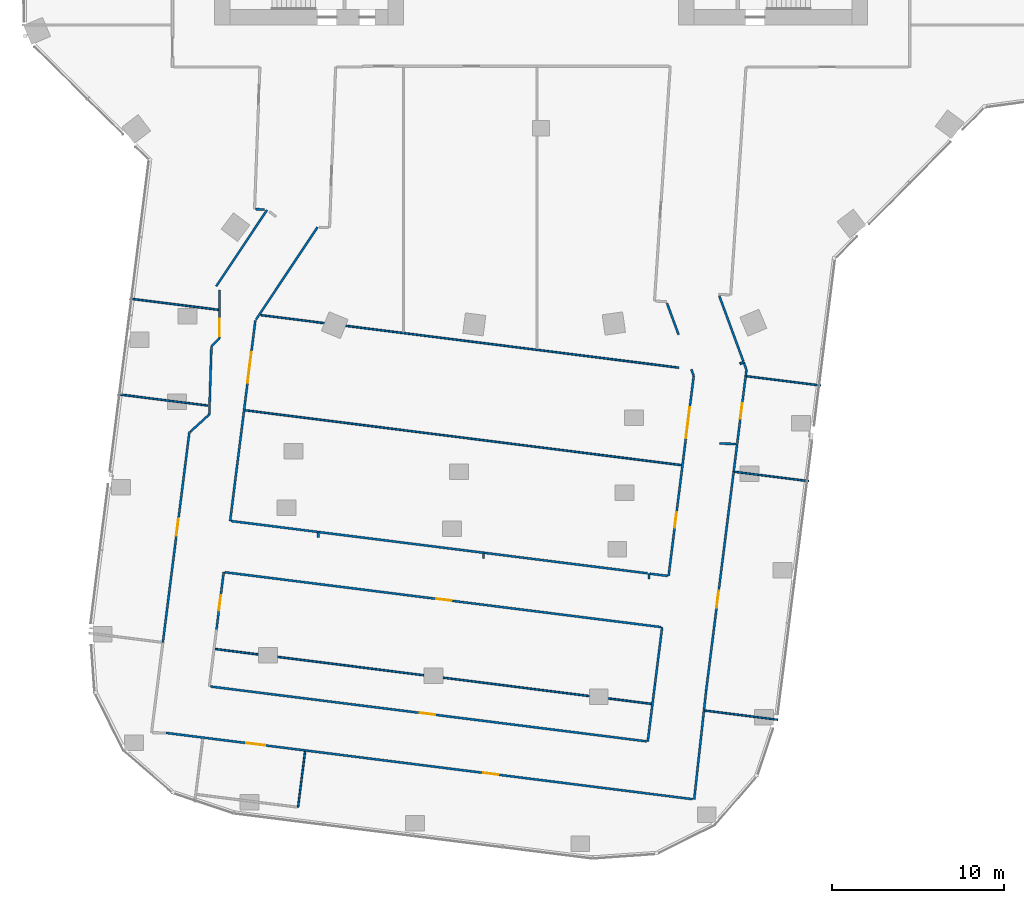
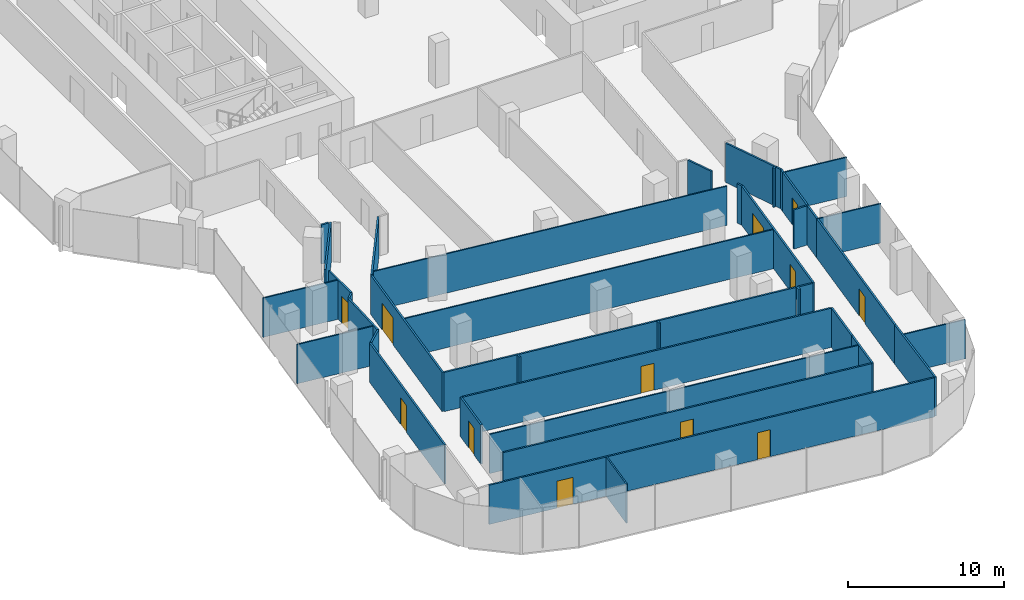
# One storey, part 19 of 27: 41 walls, 12 doors, 12 openings.
"""IFC4 building model written with IfcOpenShell, lengths in metres."""

from ifc_helpers import new_model, si_unit, direction, frame, frame_2d, origin, place, context, subcontext, project, spatial, rectangle, extrude, material, layer, layer_set, type_object, element, fill, save


model = new_model("IFC4")

# Units and contexts
model_context = context("Model", 3, precision=1e-05, world=origin(), true_north=direction((0.0, 1.0)))
body_context = subcontext(model_context, "Body", "Model", "MODEL_VIEW")
ifc_project = project(units=[si_unit("LENGTHUNIT", "METRE"), si_unit("AREAUNIT", "SQUARE_METRE"), si_unit("VOLUMEUNIT", "CUBIC_METRE"), si_unit("PLANEANGLEUNIT", "RADIAN"), si_unit("MASSUNIT", "GRAM", prefix="KILO")], contexts=[model_context])

# Site, building, storey
site_placement = place(None, origin())
site = spatial("IfcSite", under=ifc_project, at=site_placement, CompositionType="ELEMENT")
building_placement = place(site_placement, origin())
building = spatial("IfcBuilding", under=site, at=building_placement, Name="Orlundy Tower", CompositionType="ELEMENT")
storey_placement = place(building_placement, frame((0.0, 0.0, 192.10009765625)))
storey = spatial("IfcBuildingStorey", under=building, at=storey_placement, Name="L50", CompositionType="ELEMENT", Elevation=192.10009765625)

# Walls
ifc_material_1 = material(Name="Gypsum board partition")
ifc_layer_1 = layer(ifc_material_1, 0.10009765625)
ifc_layer_set_1 = layer_set([ifc_layer_1], Name="Floor partition 100")
wall_type_1 = type_object("IfcWallType", Name="Floor partition 100", PredefinedType="PARTITIONING", material=ifc_layer_set_1)
wall_1_placement = place(storey_placement, frame((-18.968017578125, -48.31103515625, 0.0), z_axis=(0.0, 0.0, 1.0), x_axis=(0.992187328306, -0.124756985971, 0.0)))
element("IfcWall", 1, at=wall_1_placement, inside=storey, type_object=wall_type_1, Name="wall-int-L50-010", PredefinedType="PARTITIONING", context=body_context, shape_type="SweptSolid", body=[
    extrude(rectangle(XDim=25.5849609375, YDim=0.10009765625, at=frame_2d((12.79248046875, 0.0))), origin(), (0.0, 0.0, 1.0), 3.059814453125),
])
wall_2_placement = place(storey_placement, frame((9.51904296875, -51.89306640625, 0.0), z_axis=(0.0, 0.0, 1.0), x_axis=(0.992174773364, -0.124856794369, 0.0)))
element("IfcWall", 2, at=wall_2_placement, inside=storey, type_object=wall_type_1, Name="wall-int-L50-011", PredefinedType="PARTITIONING", context=body_context, shape_type="SweptSolid", body=[
    extrude(rectangle(XDim=4.2763671875, YDim=0.10009765625, at=frame_2d((2.13818359375, 0.0))), origin(), (0.0, 0.0, 1.0), 3.059814453125),
])
wall_3_placement = place(storey_placement, frame((-24.62109375, -33.489990234375, 0.0), z_axis=(0.0, 0.0, 1.0), x_axis=(0.992192670487, -0.124714492473, 0.0)))
element("IfcWall", 3, at=wall_3_placement, inside=storey, type_object=wall_type_1, Name="wall-int-L50-015", PredefinedType="PARTITIONING", context=body_context, shape_type="SweptSolid", body=[
    extrude(rectangle(XDim=5.260009765625, YDim=0.10009765625, at=frame_2d((2.6298828125, 0.0))), origin(), (0.0, 0.0, 1.0), 3.059814453125),
])
wall_4_placement = place(storey_placement, frame((-17.220947265625, -34.4208984375, 0.0), z_axis=(0.0, 0.0, 1.0), x_axis=(0.992190871449, -0.124728804262, 0.0)))
element("IfcWall", 4, at=wall_4_placement, inside=storey, type_object=wall_type_1, Name="wall-int-L50-016", PredefinedType="PARTITIONING", context=body_context, shape_type="SweptSolid", body=[
    extrude(rectangle(XDim=25.584716796875, YDim=0.10009765625, at=frame_2d((12.79248046875, 0.0))), origin(), (0.0, 0.0, 1.0), 3.059814453125),
])
wall_5_placement = place(storey_placement, frame((11.26611328125, -38.0029296875, 0.0), z_axis=(0.0, 0.0, 1.0), x_axis=(0.992194392082, -0.124700795187, 0.0)))
element("IfcWall", 5, at=wall_5_placement, inside=storey, type_object=wall_type_1, Name="wall-int-L50-017", PredefinedType="PARTITIONING", context=body_context, shape_type="SweptSolid", body=[
    extrude(rectangle(XDim=4.33056640625, YDim=0.10009765625, at=frame_2d((2.165283203125, 0.0))), origin(), (0.0, 0.0, 1.0), 3.059814453125),
])
wall_6_placement = place(storey_placement, frame((-23.9208984375, -27.927001953125, 0.0), z_axis=(0.0, 0.0, 1.0), x_axis=(0.992179743224, -0.124817295018, 0.0)))
element("IfcWall", 6, at=wall_6_placement, inside=storey, type_object=wall_type_1, Name="wall-int-L50-018", PredefinedType="PARTITIONING", context=body_context, shape_type="SweptSolid", body=[
    extrude(rectangle(XDim=5.183349609375, YDim=0.10009765625, at=frame_2d((2.591796875, 0.0))), origin(), (0.0, 0.0, 1.0), 3.059814453125),
])
wall_7_placement = place(storey_placement, frame((-16.31494140625, -28.884033203125, 0.0), z_axis=(0.0, 0.0, 1.0), x_axis=(0.992194172305, -0.124702543857, 0.0)))
element("IfcWall", 7, at=wall_7_placement, inside=storey, type_object=wall_type_1, Name="wall-int-L50-019", PredefinedType="PARTITIONING", context=body_context, shape_type="SweptSolid", body=[
    extrude(rectangle(XDim=24.521240234375, YDim=0.10009765625, at=frame_2d((12.2607421875, 0.0))), origin(), (0.0, 0.0, 1.0), 3.059814453125),
])
wall_8_placement = place(storey_placement, frame((11.965087890625, -32.43994140625, 0.0), z_axis=(0.0, 0.0, 1.0), x_axis=(0.992194392082, -0.124700795187, 0.0)))
element("IfcWall", 8, at=wall_8_placement, inside=storey, type_object=wall_type_1, Name="wall-int-L50-020", PredefinedType="PARTITIONING", context=body_context, shape_type="SweptSolid", body=[
    extrude(rectangle(XDim=4.33056640625, YDim=0.10009765625, at=frame_2d((2.165283203125, 0.0))), origin(), (0.0, 0.0, 1.0), 3.059814453125),
])
wall_9_placement = place(storey_placement, frame((-14.14111328125, -57.51708984375, 0.0), z_axis=(0.0, 0.0, 1.0), x_axis=(0.124586287257, 0.992208776935, 0.0)))
element("IfcWall", 9, at=wall_9_placement, inside=storey, type_object=wall_type_1, Name="wall-int-L50-054", PredefinedType="PARTITIONING", context=body_context, shape_type="SweptSolid", body=[
    extrude(rectangle(XDim=3.2685546875, YDim=0.10009765625, at=frame_2d((1.63427734375, 0.0))), origin(), (0.0, 0.0, 1.0), 3.059814453125),
])
ifc_material_2 = material(Name="Gypsum board partition, double layer")
ifc_layer_2 = layer(ifc_material_2, 0.125)
ifc_layer_set_2 = layer_set([ifc_layer_2], Name="Floor partition 125")
wall_type_2 = type_object("IfcWallType", Name="Floor partition 125", PredefinedType="PARTITIONING", material=ifc_layer_set_2)
wall_10_placement = place(storey_placement, frame((7.327880859375, -28.197021484375, 0.0), z_axis=(0.0, 0.0, 1.0), x_axis=(0.34495039198, -0.938620917662, 0.0)))
element("IfcWall", 10, at=wall_10_placement, inside=storey, type_object=wall_type_2, Name="wall-int-L50-001", PredefinedType="PARTITIONING", context=body_context, shape_type="SweptSolid", body=[
    extrude(rectangle(XDim=1.948486328125, YDim=0.125, at=frame_2d((0.97412109375, 0.0))), origin(), (0.0, 0.0, 1.0), 3.059814453125),
])
wall_11_placement = place(storey_placement, frame((8.738037109375, -32.033935546875, 0.0), z_axis=(0.0, 0.0, 1.0), x_axis=(0.344934891115, -0.938626614204, 0.0)))
element("IfcWall", 11, at=wall_11_placement, inside=storey, type_object=wall_type_2, Name="wall-int-L50-002", PredefinedType="PARTITIONING", context=body_context, shape_type="SweptSolid", body=[
    extrude(rectangle(XDim=0.4111328125, YDim=0.125, at=frame_2d((0.20556640625, 0.0))), origin(), (0.0, 0.0, 1.0), 3.059814453125),
])
wall_12_placement = place(storey_placement, frame((11.785888671875, -31.6279296875, 0.0), z_axis=(0.0, 0.0, 1.0), x_axis=(0.346065449672, -0.938210373287, 0.0)))
element("IfcWall", 12, at=wall_12_placement, inside=storey, type_object=wall_type_2, Name="wall-int-L50-003", PredefinedType="PARTITIONING", context=body_context, shape_type="SweptSolid", body=[
    extrude(rectangle(XDim=0.47119140625, YDim=0.125, at=frame_2d((0.235595703125, 0.0))), origin(), (0.0, 0.0, 1.0), 3.059814453125),
])
wall_13_placement = place(storey_placement, frame((10.364990234375, -27.760986328125, 0.0), z_axis=(0.0, 0.0, 1.0), x_axis=(0.34515538391, -0.938545556144, 0.0)))
element("IfcWall", 13, at=wall_13_placement, inside=storey, type_object=wall_type_2, Name="wall-int-L50-004", PredefinedType="PARTITIONING", context=body_context, shape_type="SweptSolid", body=[
    extrude(rectangle(XDim=4.052978515625, YDim=0.125, at=frame_2d((2.0263671875, 0.0))), origin(), (0.0, 0.0, 1.0), 3.059814453125),
])

# Wall, openings, doors
wall_14_placement = place(storey_placement, frame((8.822998046875, -57.049072265625, 0.0), z_axis=(0.0, 0.0, 1.0), x_axis=(-0.992177755652, 0.124833093322, 0.0)))
wall_14 = element("IfcWall", 14, at=wall_14_placement, inside=storey, type_object=wall_type_2, Name="wall-int-L50-007", PredefinedType="PARTITIONING", context=body_context, shape_type="SweptSolid", body=[
    extrude(rectangle(XDim=30.898681640625, YDim=0.125, at=frame_2d((15.44921875, 0.0))), origin(), (0.0, 0.0, 1.0), 3.059814453125),
])
opening_1_placement = place(wall_14_placement, frame((11.392333984375, 0.0, 0.0)))
opening_1 = element("IfcOpeningElement", 15, at=opening_1_placement, cuts=wall_14, Name="Opening 39108", PredefinedType="OPENING", context=body_context, shape_type="SweptSolid", body=[
    extrude(rectangle(XDim=0.89990234375, YDim=2.10009765625, at=frame_2d((0.449951171875, 1.050048828125))), frame((0.0, 0.072509765625, 0.0), z_axis=(0.0, -1.0, 0.0), x_axis=(1.0, 0.0, 0.0)), (0.0, 0.0, 1.0), 0.14501953125),
])
opening_2_placement = place(wall_14_placement, frame((25.076904296875, 0.0, 0.0)))
opening_2 = element("IfcOpeningElement", 16, at=opening_2_placement, cuts=wall_14, Name="Opening 39128", PredefinedType="OPENING", context=body_context, shape_type="SweptSolid", body=[
    extrude(rectangle(XDim=1.10009765625, YDim=2.10009765625, at=frame_2d((0.550048828125, 1.050048828125))), frame((0.0, 0.072509765625, 0.0), z_axis=(0.0, -1.0, 0.0), x_axis=(1.0, 0.0, 0.0)), (0.0, 0.0, 1.0), 0.14501953125),
])
ifc_material_3 = material(Name="Timber door leaf", Category="wood")
door_type_1 = type_object("IfcDoorType", Name="Floor door single 900 FD30S", OperationType="NOTDEFINED", PredefinedType="DOOR", material=ifc_material_3)
door_1_placement = place(opening_1_placement, origin())
door_1 = element("IfcDoor", 17, at=door_1_placement, inside=storey, type_object=door_type_1, Name="Door 39108", OperationType="SINGLE_SWING_LEFT", OverallHeight=2.10009765625, OverallWidth=0.89990234375, PredefinedType="DOOR", context=body_context, shape_type="SweptSolid", body=[
    extrude(rectangle(XDim=0.89990234375, YDim=2.10009765625, at=frame_2d((0.449951171875, 1.050048828125))), frame((0.0, 0.02490234375, 0.0), z_axis=(0.0, -1.0, 0.0), x_axis=(1.0, 0.0, 0.0)), (0.0, 0.0, 1.0), 0.050048828125),
])
fill(opening_1, door_1)
ifc_material_4 = material(Name="Timber door leaf", Category="wood")
door_type_2 = type_object("IfcDoorType", Name="Floor door xwide 1100 FD30S", OperationType="NOTDEFINED", PredefinedType="DOOR", material=ifc_material_4)
door_2_placement = place(opening_2_placement, origin())
door_2 = element("IfcDoor", 18, at=door_2_placement, inside=storey, type_object=door_type_2, Name="Door 39128", OperationType="SINGLE_SWING_RIGHT", OverallHeight=2.10009765625, OverallWidth=1.10009765625, PredefinedType="DOOR", context=body_context, shape_type="SweptSolid", body=[
    extrude(rectangle(XDim=1.10009765625, YDim=2.10009765625, at=frame_2d((0.550048828125, 1.050048828125))), frame((0.0, 0.02490234375, 0.0), z_axis=(0.0, -1.0, 0.0), x_axis=(1.0, 0.0, 0.0)), (0.0, 0.0, 1.0), 0.050048828125),
])
fill(opening_2, door_2)

# Wall, opening, door
wall_15_placement = place(storey_placement, frame((-19.241943359375, -50.493896484375, 0.0), z_axis=(0.0, 0.0, 1.0), x_axis=(0.992190871449, -0.124728804262, 0.0)))
wall_15 = element("IfcWall", 19, at=wall_15_placement, inside=storey, type_object=wall_type_2, Name="wall-int-L50-008", PredefinedType="PARTITIONING", context=body_context, shape_type="SweptSolid", body=[
    extrude(rectangle(XDim=25.584716796875, YDim=0.125, at=frame_2d((12.79248046875, 0.0))), origin(), (0.0, 0.0, 1.0), 3.059814453125),
])
opening_3_placement = place(wall_15_placement, frame((12.28759765625, 0.0, 0.0)))
opening_3 = element("IfcOpeningElement", 20, at=opening_3_placement, cuts=wall_15, Name="Opening 39107", PredefinedType="OPENING", context=body_context, shape_type="SweptSolid", body=[
    extrude(rectangle(XDim=0.89990234375, YDim=2.10009765625, at=frame_2d((0.449951171875, 1.050048828125))), frame((0.0, 0.072509765625, 0.0), z_axis=(0.0, -1.0, 0.0), x_axis=(1.0, 0.0, 0.0)), (0.0, 0.0, 1.0), 0.14501953125),
])
door_3_placement = place(opening_3_placement, origin())
door_3 = element("IfcDoor", 21, at=door_3_placement, inside=storey, type_object=door_type_1, Name="Door 39107", OperationType="SINGLE_SWING_LEFT", OverallHeight=2.10009765625, OverallWidth=0.89990234375, PredefinedType="DOOR", context=body_context, shape_type="SweptSolid", body=[
    extrude(rectangle(XDim=0.89990234375, YDim=2.10009765625, at=frame_2d((0.449951171875, 1.050048828125))), frame((0.0, 0.02490234375, 0.0), z_axis=(0.0, -1.0, 0.0), x_axis=(1.0, 0.0, 0.0)), (0.0, 0.0, 1.0), 0.050048828125),
])
fill(opening_3, door_3)

wall_16_placement = place(storey_placement, frame((6.97900390625, -47.034912109375, 0.0), z_axis=(0.0, 0.0, 1.0), x_axis=(-0.992192052325, 0.124719410292, 0.0)))
wall_16 = element("IfcWall", 22, at=wall_16_placement, inside=storey, type_object=wall_type_2, Name="wall-int-L50-012", PredefinedType="PARTITIONING", context=body_context, shape_type="SweptSolid", body=[
    extrude(rectangle(XDim=25.584716796875, YDim=0.125, at=frame_2d((12.79248046875, 0.0))), origin(), (0.0, 0.0, 1.0), 3.059814453125),
])
opening_4_placement = place(wall_16_placement, frame((12.28759765625, 0.0, 0.0)))
opening_4 = element("IfcOpeningElement", 23, at=opening_4_placement, cuts=wall_16, Name="Opening 39106", PredefinedType="OPENING", context=body_context, shape_type="SweptSolid", body=[
    extrude(rectangle(XDim=0.89990234375, YDim=2.10009765625, at=frame_2d((0.449951171875, 1.050048828125))), frame((0.0, 0.072509765625, 0.0), z_axis=(0.0, -1.0, 0.0), x_axis=(1.0, 0.0, 0.0)), (0.0, 0.0, 1.0), 0.14501953125),
])
door_4_placement = place(opening_4_placement, origin())
door_4 = element("IfcDoor", 24, at=door_4_placement, inside=storey, type_object=door_type_1, Name="Door 39106", OperationType="SINGLE_SWING_LEFT", OverallHeight=2.10009765625, OverallWidth=0.89990234375, PredefinedType="DOOR", context=body_context, shape_type="SweptSolid", body=[
    extrude(rectangle(XDim=0.89990234375, YDim=2.10009765625, at=frame_2d((0.449951171875, 1.050048828125))), frame((0.0, 0.02490234375, 0.0), z_axis=(0.0, -1.0, 0.0), x_axis=(1.0, 0.0, 0.0)), (0.0, 0.0, 1.0), 0.050048828125),
])
fill(opening_4, door_4)

# Walls
wall_17_placement = place(storey_placement, frame((-18.031982421875, -40.865966796875, 0.0), z_axis=(0.0, 0.0, 1.0), x_axis=(0.9922120451, -0.124560256738, 0.0)))
element("IfcWall", 25, at=wall_17_placement, inside=storey, type_object=wall_type_2, Name="wall-int-L50-013", PredefinedType="PARTITIONING", context=body_context, shape_type="SweptSolid", body=[
    extrude(rectangle(XDim=24.4140625, YDim=0.125, at=frame_2d((12.20703125, 0.0))), origin(), (0.0, 0.0, 1.0), 3.059814453125),
])
wall_18_placement = place(storey_placement, frame((6.342041015625, -43.930908203125, 0.0), z_axis=(0.0, 0.0, 1.0), x_axis=(0.992192944833, -0.124712309833, 0.0)))
element("IfcWall", 26, at=wall_18_placement, inside=storey, type_object=wall_type_2, Name="wall-int-L50-014", PredefinedType="PARTITIONING", context=body_context, shape_type="SweptSolid", body=[
    extrude(rectangle(XDim=1.02001953125, YDim=0.125, at=frame_2d((0.510009765625, 0.0))), origin(), (0.0, 0.0, 1.0), 3.059814453125),
])
wall_19_placement = place(storey_placement, frame((-16.610107421875, -22.718994140625, 0.0), z_axis=(0.0, 0.0, 1.0), x_axis=(0.999204657851, -0.039875452703, 0.0)))
element("IfcWall", 27, at=wall_19_placement, inside=storey, type_object=wall_type_2, Name="wall-int-L50-023", PredefinedType="PARTITIONING", context=body_context, shape_type="SweptSolid", body=[
    extrude(rectangle(XDim=0.526611328125, YDim=0.125, at=frame_2d((0.26318359375, 0.0))), origin(), (0.0, 0.0, 1.0), 3.059814453125),
])
wall_20_placement = place(storey_placement, frame((10.365966796875, -36.35595703125, 0.0), z_axis=(0.0, 0.0, 1.0), x_axis=(0.999700907591, -0.024455988254, 0.0)))
element("IfcWall", 28, at=wall_20_placement, inside=storey, type_object=wall_type_2, Name="wall-int-L50-025", PredefinedType="PARTITIONING", context=body_context, shape_type="SweptSolid", body=[
    extrude(rectangle(XDim=0.978271484375, YDim=0.125, at=frame_2d((0.4892578125, 0.0))), origin(), (0.0, 0.0, 1.0), 3.059814453125),
])
wall_21_placement = place(storey_placement, frame((-20.402099609375, -35.6640625, 0.0), z_axis=(0.0, 0.0, 1.0), x_axis=(0.738431976745, 0.674327973408, 0.0)))
element("IfcWall", 29, at=wall_21_placement, inside=storey, type_object=wall_type_2, Name="wall-int-L50-027", PredefinedType="PARTITIONING", context=body_context, shape_type="SweptSolid", body=[
    extrude(rectangle(XDim=1.4814453125, YDim=0.125, at=frame_2d((0.74072265625, 0.0))), origin(), (0.0, 0.0, 1.0), 3.059814453125),
])
wall_22_placement = place(storey_placement, frame((-19.181884765625, -30.702880859375, 0.0), z_axis=(0.0, 0.0, 1.0), x_axis=(0.707106781187, 0.707106781187, 0.0)))
element("IfcWall", 30, at=wall_22_placement, inside=storey, type_object=wall_type_2, Name="wall-int-L50-028", PredefinedType="PARTITIONING", context=body_context, shape_type="SweptSolid", body=[
    extrude(rectangle(XDim=0.65869140625, YDim=0.125, at=frame_2d((0.329345703125, 0.0))), origin(), (0.0, 0.0, 1.0), 3.059814453125),
])
wall_23_placement = place(storey_placement, frame((11.56298828125, -31.720947265625, 0.0), z_axis=(0.0, 0.0, 1.0), x_axis=(0.921426271694, 0.3885532471, 0.0)))
element("IfcWall", 31, at=wall_23_placement, inside=storey, type_object=wall_type_2, Name="wall-int-L50-043", PredefinedType="PARTITIONING", context=body_context, shape_type="SweptSolid", body=[
    extrude(rectangle(XDim=0.241943359375, YDim=0.125, at=frame_2d((0.12109375, 0.0))), origin(), (0.0, 0.0, 1.0), 3.059814453125),
])
wall_24_placement = place(storey_placement, frame((-13.009033203125, -23.76904296875, 0.0), z_axis=(0.0, 0.0, 1.0), x_axis=(-0.554421269435, -0.832236178016, 0.0)))
element("IfcWall", 32, at=wall_24_placement, inside=storey, type_object=wall_type_2, Name="wall-int-L50-044", PredefinedType="PARTITIONING", context=body_context, shape_type="SweptSolid", body=[
    extrude(rectangle(XDim=6.46435546875, YDim=0.125, at=frame_2d((3.232177734375, 0.0))), origin(), (0.0, 0.0, 1.0), 3.059814453125),
])
wall_25_placement = place(storey_placement, frame((-15.947998046875, -22.76806640625, 0.0), z_axis=(0.0, 0.0, 1.0), x_axis=(-0.554404200785, -0.832247548601, 0.0)))
element("IfcWall", 33, at=wall_25_placement, inside=storey, type_object=wall_type_2, Name="wall-int-L50-045", PredefinedType="PARTITIONING", context=body_context, shape_type="SweptSolid", body=[
    extrude(rectangle(XDim=5.330078125, YDim=0.125, at=frame_2d((2.6650390625, 0.0))), origin(), (0.0, 0.0, 1.0), 3.059814453125),
])
wall_26_placement = place(storey_placement, frame((-19.18310546875, -30.7080078125, 0.0), z_axis=(0.0, 0.0, 1.0), x_axis=(-0.0315735891, -0.99950142995, 0.0)))
element("IfcWall", 34, at=wall_26_placement, inside=storey, type_object=wall_type_2, Name="wall-int-L50-046", PredefinedType="PARTITIONING", context=body_context, shape_type="SweptSolid", body=[
    extrude(rectangle(XDim=3.958984375, YDim=0.125, at=frame_2d((1.9794921875, 0.0))), origin(), (0.0, 0.0, 1.0), 3.059814453125),
])
wall_27_placement = place(storey_placement, frame((11.903076171875, -32.431884765625, 0.0), z_axis=(0.0, 0.0, 1.0), x_axis=(0.125847054802, 0.992049655409, 0.0)))
element("IfcWall", 35, at=wall_27_placement, inside=storey, type_object=wall_type_2, Name="wall-int-L50-047", PredefinedType="PARTITIONING", context=body_context, shape_type="SweptSolid", body=[
    extrude(rectangle(XDim=0.36474609375, YDim=0.125, at=frame_2d((0.182373046875, 0.0))), origin(), (0.0, 0.0, 1.0), 3.059814453125),
])
wall_28_placement = place(storey_placement, frame((9.60107421875, -50.742919921875, 0.0), z_axis=(0.0, 0.0, 1.0), x_axis=(-0.109423264463, -0.993995246062, 0.0)))
element("IfcWall", 36, at=wall_28_placement, inside=storey, type_object=wall_type_2, Name="wall-int-L50-048", PredefinedType="PARTITIONING", context=body_context, shape_type="SweptSolid", body=[
    extrude(rectangle(XDim=6.35205078125, YDim=0.125, at=frame_2d((3.176025390625, 0.0))), origin(), (0.0, 0.0, 1.0), 3.059814453125),
])

# Wall, opening, door
wall_29_placement = place(storey_placement, frame((11.2041015625, -37.993896484375, 0.0), z_axis=(0.0, 0.0, 1.0), x_axis=(-0.124754953573, -0.992187583856, 0.0)))
wall_29 = element("IfcWall", 37, at=wall_29_placement, inside=storey, type_object=wall_type_2, Name="wall-int-L50-049", PredefinedType="PARTITIONING", context=body_context, shape_type="SweptSolid", body=[
    extrude(rectangle(XDim=12.849365234375, YDim=0.125, at=frame_2d((6.4248046875, 0.0))), origin(), (0.0, 0.0, 1.0), 3.059814453125),
])
opening_5_placement = place(wall_29_placement, frame((6.975830078125, 0.0, 0.0)))
opening_5 = element("IfcOpeningElement", 38, at=opening_5_placement, cuts=wall_29, Name="Opening 39101", PredefinedType="OPENING", context=body_context, shape_type="SweptSolid", body=[
    extrude(rectangle(XDim=1.0, YDim=2.10009765625, at=frame_2d((0.5, 1.050048828125))), frame((0.0, 0.072509765625, 0.0), z_axis=(0.0, -1.0, 0.0), x_axis=(1.0, 0.0, 0.0)), (0.0, 0.0, 1.0), 0.14501953125),
])
ifc_material_5 = material(Name="Timber door leaf", Category="wood")
door_type_3 = type_object("IfcDoorType", Name="Floor door wide 1000 FD30S", OperationType="NOTDEFINED", PredefinedType="DOOR", material=ifc_material_5)
door_5_placement = place(opening_5_placement, origin())
door_5 = element("IfcDoor", 39, at=door_5_placement, inside=storey, type_object=door_type_3, Name="Door 39101", OperationType="SINGLE_SWING_RIGHT", OverallHeight=2.10009765625, OverallWidth=1.0, PredefinedType="DOOR", context=body_context, shape_type="SweptSolid", body=[
    extrude(rectangle(XDim=1.0, YDim=2.10009765625, at=frame_2d((0.5, 1.050048828125))), frame((0.0, 0.02490234375, 0.0), z_axis=(0.0, -1.0, 0.0), x_axis=(1.0, 0.0, 0.0)), (0.0, 0.0, 1.0), 0.050048828125),
])
fill(opening_5, door_5)

wall_30_placement = place(storey_placement, frame((11.903076171875, -32.431884765625, 0.0), z_axis=(0.0, 0.0, 1.0), x_axis=(-0.124726255985, -0.992191191791, 0.0)))
wall_30 = element("IfcWall", 40, at=wall_30_placement, inside=storey, type_object=wall_type_2, Name="wall-int-L50-050", PredefinedType="PARTITIONING", context=body_context, shape_type="SweptSolid", body=[
    extrude(rectangle(XDim=3.953857421875, YDim=0.125, at=frame_2d((1.97705078125, 0.0))), origin(), (0.0, 0.0, 1.0), 3.059814453125),
])
opening_6_placement = place(wall_30_placement, frame((1.60009765625, 0.0, 0.0)))
opening_6 = element("IfcOpeningElement", 41, at=opening_6_placement, cuts=wall_30, Name="Opening 39100", PredefinedType="OPENING", context=body_context, shape_type="SweptSolid", body=[
    extrude(rectangle(XDim=0.89990234375, YDim=2.10009765625, at=frame_2d((0.449951171875, 1.050048828125))), frame((0.0, 0.072509765625, 0.0), z_axis=(0.0, -1.0, 0.0), x_axis=(1.0, 0.0, 0.0)), (0.0, 0.0, 1.0), 0.14501953125),
])
door_6_placement = place(opening_6_placement, origin())
door_6 = element("IfcDoor", 42, at=door_6_placement, inside=storey, type_object=door_type_1, Name="Door 39100", OperationType="SINGLE_SWING_RIGHT", OverallHeight=2.10009765625, OverallWidth=0.89990234375, PredefinedType="DOOR", context=body_context, shape_type="SweptSolid", body=[
    extrude(rectangle(XDim=0.89990234375, YDim=2.10009765625, at=frame_2d((0.449951171875, 1.050048828125))), frame((0.0, 0.02490234375, 0.0), z_axis=(0.0, -1.0, 0.0), x_axis=(1.0, 0.0, 0.0)), (0.0, 0.0, 1.0), 0.050048828125),
])
fill(opening_6, door_6)

# Walls
wall_31_placement = place(storey_placement, frame((6.623046875, -50.367919921875, 0.0), z_axis=(0.0, 0.0, 1.0), x_axis=(-0.124716116187, -0.992192466391, 0.0)))
element("IfcWall", 43, at=wall_31_placement, inside=storey, type_object=wall_type_2, Name="wall-int-L50-051", PredefinedType="PARTITIONING", context=body_context, shape_type="SweptSolid", body=[
    extrude(rectangle(XDim=3.351318359375, YDim=0.125, at=frame_2d((1.67578125, 0.0))), origin(), (0.0, 0.0, 1.0), 3.059814453125),
])
wall_32_placement = place(storey_placement, frame((6.623046875, -50.367919921875, 0.0), z_axis=(0.0, 0.0, 1.0), x_axis=(0.124725131243, 0.992191333179, 0.0)))
element("IfcWall", 44, at=wall_32_placement, inside=storey, type_object=wall_type_2, Name="wall-int-L50-052", PredefinedType="PARTITIONING", context=body_context, shape_type="SweptSolid", body=[
    extrude(rectangle(XDim=3.35107421875, YDim=0.125, at=frame_2d((1.675537109375, 0.0))), origin(), (0.0, 0.0, 1.0), 3.059814453125),
])

# Wall, openings, doors
wall_33_placement = place(storey_placement, frame((7.416015625, -44.06591796875, 0.0), z_axis=(0.0, 0.0, 1.0), x_axis=(0.124705364761, 0.992193817759, 0.0)))
wall_33 = element("IfcWall", 45, at=wall_33_placement, inside=storey, type_object=wall_type_2, Name="wall-int-L50-053", PredefinedType="PARTITIONING", context=body_context, shape_type="SweptSolid", body=[
    extrude(rectangle(XDim=11.738525390625, YDim=0.125, at=frame_2d((5.869140625, 0.0))), origin(), (0.0, 0.0, 1.0), 3.059814453125),
])
opening_7_placement = place(wall_33_placement, frame((8.0966796875, 0.0, 0.0)))
opening_7 = element("IfcOpeningElement", 46, at=opening_7_placement, cuts=wall_33, Name="Opening 39103", PredefinedType="OPENING", context=body_context, shape_type="SweptSolid", body=[
    extrude(rectangle(XDim=1.800048828125, YDim=2.10009765625, at=frame_2d((0.89990234375, 1.050048828125))), frame((0.0, 0.072509765625, 0.0), z_axis=(0.0, -1.0, 0.0), x_axis=(1.0, 0.0, 0.0)), (0.0, 0.0, 1.0), 0.14501953125),
])
opening_8_placement = place(wall_33_placement, frame((2.85009765625, 0.0, 0.0)))
opening_8 = element("IfcOpeningElement", 47, at=opening_8_placement, cuts=wall_33, Name="Opening 39104", PredefinedType="OPENING", context=body_context, shape_type="SweptSolid", body=[
    extrude(rectangle(XDim=0.89990234375, YDim=2.10009765625, at=frame_2d((0.449951171875, 1.050048828125))), frame((0.0, 0.072509765625, 0.0), z_axis=(0.0, -1.0, 0.0), x_axis=(1.0, 0.0, 0.0)), (0.0, 0.0, 1.0), 0.14501953125),
])
ifc_material_6 = material(Name="Timber door leaf", Category="wood")
door_type_4 = type_object("IfcDoorType", Name="Floor door double 1800 FD30S", OperationType="NOTDEFINED", PredefinedType="DOOR", material=ifc_material_6)
door_7_placement = place(opening_7_placement, origin())
door_7 = element("IfcDoor", 48, at=door_7_placement, inside=storey, type_object=door_type_4, Name="Door 39103", OperationType="DOUBLE_DOOR_SINGLE_SWING", OverallHeight=2.10009765625, OverallWidth=1.800048828125, PredefinedType="DOOR", context=body_context, shape_type="SweptSolid", body=[
    extrude(rectangle(XDim=1.800048828125, YDim=2.10009765625, at=frame_2d((0.89990234375, 1.050048828125))), frame((0.0, 0.02490234375, 0.0), z_axis=(0.0, -1.0, 0.0), x_axis=(1.0, 0.0, 0.0)), (0.0, 0.0, 1.0), 0.050048828125),
])
fill(opening_7, door_7)
door_8_placement = place(opening_8_placement, origin())
door_8 = element("IfcDoor", 49, at=door_8_placement, inside=storey, type_object=door_type_1, Name="Door 39104", OperationType="SINGLE_SWING_LEFT", OverallHeight=2.10009765625, OverallWidth=0.89990234375, PredefinedType="DOOR", context=body_context, shape_type="SweptSolid", body=[
    extrude(rectangle(XDim=0.89990234375, YDim=2.10009765625, at=frame_2d((0.449951171875, 1.050048828125))), frame((0.0, 0.02490234375, 0.0), z_axis=(0.0, -1.0, 0.0), x_axis=(1.0, 0.0, 0.0)), (0.0, 0.0, 1.0), 0.050048828125),
])
fill(opening_8, door_8)

# Wall, opening, door
wall_34_placement = place(storey_placement, frame((-18.468017578125, -43.8359375, 0.0), z_axis=(0.0, 0.0, 1.0), x_axis=(-0.124739851626, -0.992189482617, 0.0)))
wall_34 = element("IfcWall", 50, at=wall_34_placement, inside=storey, type_object=wall_type_2, Name="wall-int-L50-056", PredefinedType="PARTITIONING", context=body_context, shape_type="SweptSolid", body=[
    extrude(rectangle(XDim=3.366455078125, YDim=0.125, at=frame_2d((1.68310546875, 0.0))), origin(), (0.0, 0.0, 1.0), 3.059814453125),
])
opening_9_placement = place(wall_34_placement, frame((1.35009765625, 0.0, 0.0)))
opening_9 = element("IfcOpeningElement", 51, at=opening_9_placement, cuts=wall_34, Name="Opening 39105", PredefinedType="OPENING", context=body_context, shape_type="SweptSolid", body=[
    extrude(rectangle(XDim=0.89990234375, YDim=2.10009765625, at=frame_2d((0.449951171875, 1.050048828125))), frame((0.0, 0.072509765625, 0.0), z_axis=(0.0, -1.0, 0.0), x_axis=(1.0, 0.0, 0.0)), (0.0, 0.0, 1.0), 0.14501953125),
])
door_9_placement = place(opening_9_placement, origin())
door_9 = element("IfcDoor", 52, at=door_9_placement, inside=storey, type_object=door_type_1, Name="Door 39105", OperationType="SINGLE_SWING_RIGHT", OverallHeight=2.10009765625, OverallWidth=0.89990234375, PredefinedType="DOOR", context=body_context, shape_type="SweptSolid", body=[
    extrude(rectangle(XDim=0.89990234375, YDim=2.10009765625, at=frame_2d((0.449951171875, 1.050048828125))), frame((0.0, 0.02490234375, 0.0), z_axis=(0.0, -1.0, 0.0), x_axis=(1.0, 0.0, 0.0)), (0.0, 0.0, 1.0), 0.050048828125),
])
fill(opening_9, door_9)

wall_35_placement = place(storey_placement, frame((-16.626953125, -29.198974609375, 0.0), z_axis=(0.0, 0.0, 1.0), x_axis=(-0.124845291818, -0.992176220795, 0.0)))
wall_35 = element("IfcWall", 53, at=wall_35_placement, inside=storey, type_object=wall_type_2, Name="wall-int-L50-057", PredefinedType="PARTITIONING", context=body_context, shape_type="SweptSolid", body=[
    extrude(rectangle(XDim=11.7509765625, YDim=0.125, at=frame_2d((5.87548828125, 0.0))), origin(), (0.0, 0.0, 1.0), 3.059814453125),
])
opening_10_placement = place(wall_35_placement, frame((1.85205078125, 0.0, 0.0)))
opening_10 = element("IfcOpeningElement", 54, at=opening_10_placement, cuts=wall_35, Name="Opening 39102", PredefinedType="OPENING", context=body_context, shape_type="SweptSolid", body=[
    extrude(rectangle(XDim=1.800048828125, YDim=2.10009765625, at=frame_2d((0.89990234375, 1.050048828125))), frame((0.0, 0.072509765625, 0.0), z_axis=(0.0, -1.0, 0.0), x_axis=(1.0, 0.0, 0.0)), (0.0, 0.0, 1.0), 0.14501953125),
])
door_10_placement = place(opening_10_placement, origin())
door_10 = element("IfcDoor", 55, at=door_10_placement, inside=storey, type_object=door_type_4, Name="Door 39102", OperationType="DOUBLE_DOOR_SINGLE_SWING", OverallHeight=2.10009765625, OverallWidth=1.800048828125, PredefinedType="DOOR", context=body_context, shape_type="SweptSolid", body=[
    extrude(rectangle(XDim=1.800048828125, YDim=2.10009765625, at=frame_2d((0.89990234375, 1.050048828125))), frame((0.0, 0.02490234375, 0.0), z_axis=(0.0, -1.0, 0.0), x_axis=(1.0, 0.0, 0.0)), (0.0, 0.0, 1.0), 0.050048828125),
])
fill(opening_10, door_10)

wall_36_placement = place(storey_placement, frame((-22.008056640625, -47.928955078125, 0.0), z_axis=(0.0, 0.0, 1.0), x_axis=(0.125040719406, 0.992151610637, 0.0)))
wall_36 = element("IfcWall", 56, at=wall_36_placement, inside=storey, type_object=wall_type_2, Name="wall-int-L50-059", PredefinedType="PARTITIONING", context=body_context, shape_type="SweptSolid", body=[
    extrude(rectangle(XDim=12.365234375, YDim=0.125, at=frame_2d((6.1826171875, 0.0))), origin(), (0.0, 0.0, 1.0), 3.059814453125),
])
opening_11_placement = place(wall_36_placement, frame((6.251953125, 0.0, 0.0)))
opening_11 = element("IfcOpeningElement", 57, at=opening_11_placement, cuts=wall_36, Name="Opening 39110", PredefinedType="OPENING", context=body_context, shape_type="SweptSolid", body=[
    extrude(rectangle(XDim=1.0, YDim=2.10009765625, at=frame_2d((0.5, 1.050048828125))), frame((0.0, 0.072509765625, 0.0), z_axis=(0.0, -1.0, 0.0), x_axis=(1.0, 0.0, 0.0)), (0.0, 0.0, 1.0), 0.14501953125),
])
door_11_placement = place(opening_11_placement, origin())
door_11 = element("IfcDoor", 58, at=door_11_placement, inside=storey, type_object=door_type_3, Name="Door 39110", OperationType="SINGLE_SWING_RIGHT", OverallHeight=2.10009765625, OverallWidth=1.0, PredefinedType="DOOR", context=body_context, shape_type="SweptSolid", body=[
    extrude(rectangle(XDim=1.0, YDim=2.10009765625, at=frame_2d((0.5, 1.050048828125))), frame((0.0, 0.02490234375, 0.0), z_axis=(0.0, -1.0, 0.0), x_axis=(1.0, 0.0, 0.0)), (0.0, 0.0, 1.0), 0.050048828125),
])
fill(opening_11, door_11)

# Walls
wall_37_placement = place(storey_placement, frame((11.2041015625, -37.9951171875, 0.0), z_axis=(0.0, 0.0, 1.0), x_axis=(0.124201089062, 0.992257068242, 0.0)))
element("IfcWall", 59, at=wall_37_placement, inside=storey, type_object=wall_type_2, Name="wall-int-L50-061", PredefinedType="PARTITIONING", context=body_context, shape_type="SweptSolid", body=[
    extrude(rectangle(XDim=1.625732421875, YDim=0.125, at=frame_2d((0.81298828125, 0.0))), origin(), (0.0, 0.0, 1.0), 3.059814453125),
])
wall_38_placement = place(storey_placement, frame((6.280029296875, -44.2470703125, 0.0), z_axis=(0.0, 0.0, 1.0), x_axis=(0.0, 1.0, 0.0)))
element("IfcWall", 60, at=wall_38_placement, inside=storey, type_object=wall_type_2, Name="wall-int-L50-070", PredefinedType="PARTITIONING", context=body_context, shape_type="SweptSolid", body=[
    extrude(rectangle(XDim=0.323974609375, YDim=0.125, at=frame_2d((0.162109375, 0.0))), origin(), (0.0, 0.0, 1.0), 3.059814453125),
])
wall_39_placement = place(storey_placement, frame((-3.344970703125, -43.037109375, 0.0), z_axis=(0.0, 0.0, 1.0), x_axis=(0.0, 1.0, 0.0)))
element("IfcWall", 61, at=wall_39_placement, inside=storey, type_object=wall_type_2, Name="wall-int-L50-073", PredefinedType="PARTITIONING", context=body_context, shape_type="SweptSolid", body=[
    extrude(rectangle(XDim=0.32421875, YDim=0.125, at=frame_2d((0.162109375, 0.0))), origin(), (0.0, 0.0, 1.0), 3.059814453125),
])
wall_40_placement = place(storey_placement, frame((-12.968017578125, -41.826904296875, 0.0), z_axis=(0.0, 0.0, 1.0), x_axis=(0.0, 1.0, 0.0)))
element("IfcWall", 62, at=wall_40_placement, inside=storey, type_object=wall_type_2, Name="wall-int-L50-076", PredefinedType="PARTITIONING", context=body_context, shape_type="SweptSolid", body=[
    extrude(rectangle(XDim=0.323974609375, YDim=0.125, at=frame_2d((0.162109375, 0.0))), origin(), (0.0, 0.0, 1.0), 3.059814453125),
])

# Wall, opening, door
wall_41_placement = place(storey_placement, frame((-18.716064453125, -30.237060546875, 0.0), z_axis=(0.0, 0.0, 1.0), x_axis=(0.0, 1.0, 0.0)))
wall_41 = element("IfcWall", 63, at=wall_41_placement, inside=storey, type_object=wall_type_2, Name="wall-int-L50-077", PredefinedType="PARTITIONING", context=body_context, shape_type="SweptSolid", body=[
    extrude(rectangle(XDim=2.826171875, YDim=0.125, at=frame_2d((1.4130859375, 0.0))), origin(), (0.0, 0.0, 1.0), 3.059814453125),
])
opening_12_placement = place(wall_41_placement, frame((0.134033203125, 0.0, 0.0)))
opening_12 = element("IfcOpeningElement", 64, at=opening_12_placement, cuts=wall_41, Name="Opening 39109", PredefinedType="OPENING", context=body_context, shape_type="SweptSolid", body=[
    extrude(rectangle(XDim=1.0, YDim=2.10009765625, at=frame_2d((0.5, 1.050048828125))), frame((0.0, 0.072509765625, 0.0), z_axis=(0.0, -1.0, 0.0), x_axis=(1.0, 0.0, 0.0)), (0.0, 0.0, 1.0), 0.14501953125),
])
door_12_placement = place(opening_12_placement, origin())
door_12 = element("IfcDoor", 65, at=door_12_placement, inside=storey, type_object=door_type_3, Name="Door 39109", OperationType="SINGLE_SWING_LEFT", OverallHeight=2.10009765625, OverallWidth=1.0, PredefinedType="DOOR", context=body_context, shape_type="SweptSolid", body=[
    extrude(rectangle(XDim=1.0, YDim=2.10009765625, at=frame_2d((0.5, 1.050048828125))), frame((0.0, 0.02490234375, 0.0), z_axis=(0.0, -1.0, 0.0), x_axis=(1.0, 0.0, 0.0)), (0.0, 0.0, 1.0), 0.050048828125),
])
fill(opening_12, door_12)

save(model, "model.ifc")
